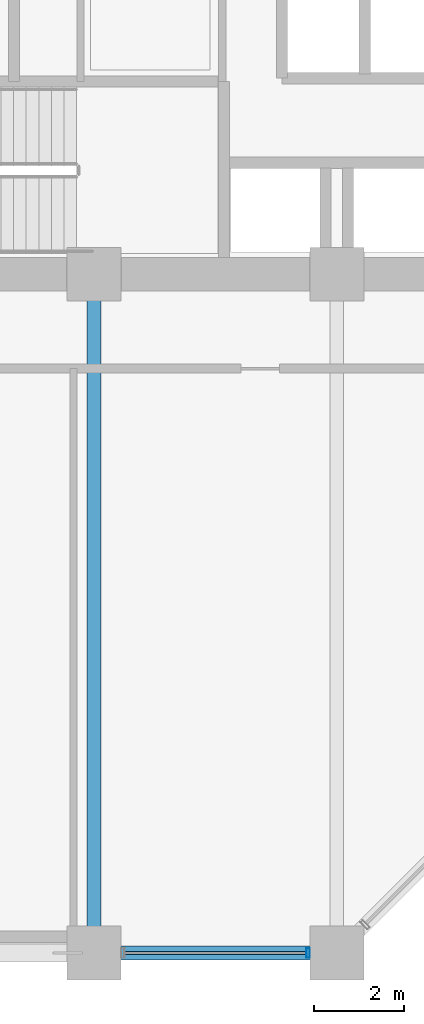
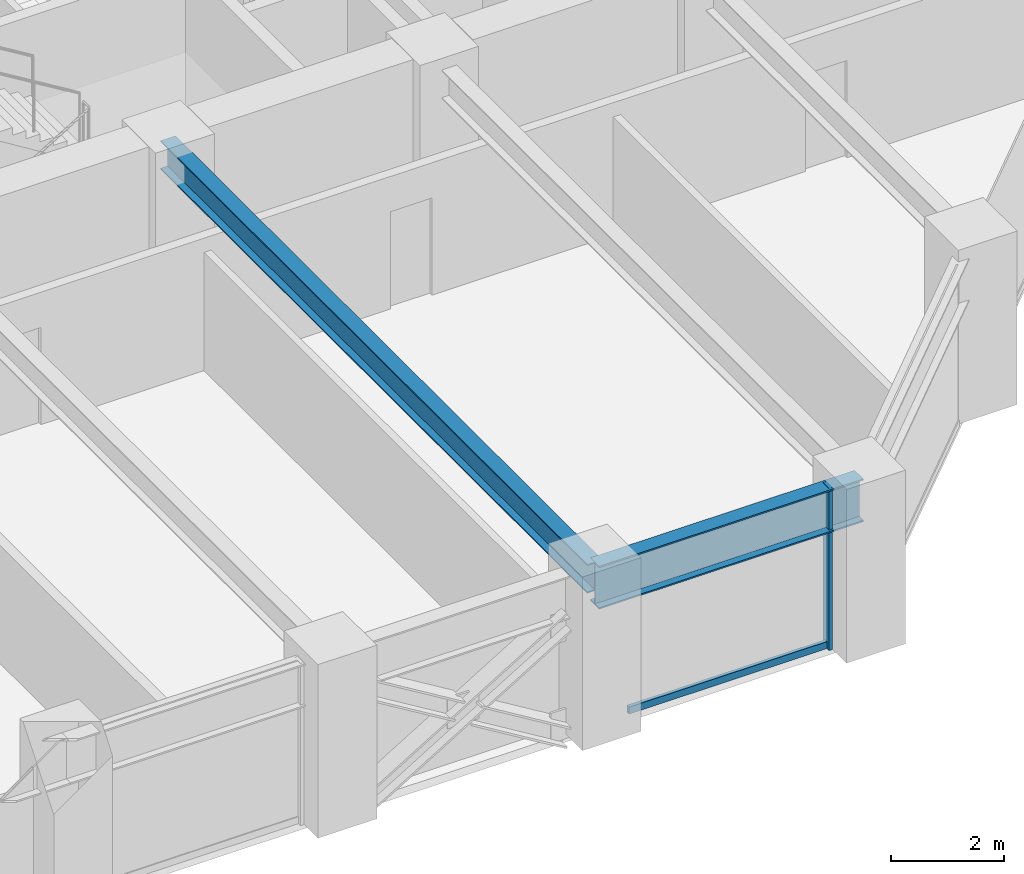
# One storey, part 5 of 26: 2 beams, 2 members, 1 element without a shape of its own.
"""IFC4 building model written with IfcOpenShell, lengths in metres."""

import ifcopenshell
import ifcopenshell.guid

model = None  # the IFC model being written
_history = None  # IfcOwnerHistory: only IFC2X3 demands one
_inside = {}  # id of a spatial element -> (the spatial element, [elements in it])
_under = {}  # id of a project, library or spatial element -> (it, [spatial elements below it])
_declared = {}  # id of a project -> (the project, [libraries it declares])
_typed = {}  # id of a type object -> (the type object, [elements of that type])
_made_of = {}  # id of a material, layer set ... -> (it, [elements and type objects made of it])


def new_model(schema):
    """Start an empty IFC model of exactly this schema.

    Asked for "IFC4X3", IfcOpenShell would pick the latest addendum, in which some entities
    have other attributes; the version numbers below select the first issue.
    IFC2X3 requires an IfcOwnerHistory on every rooted entity: one is made here for all.
    """
    global model, _history
    if schema == "IFC4X3":
        model = ifcopenshell.file(schema_version=(4, 3, 0, 0))
    else:
        model = ifcopenshell.file(schema=schema)
    _inside.clear()
    _under.clear()
    _declared.clear()
    _typed.clear()
    _made_of.clear()
    _history = None
    if model.schema == "IFC2X3":
        org = make("IfcOrganization", Name="unknown")
        user = make(
            "IfcPersonAndOrganization",
            ThePerson=make("IfcPerson", FamilyName="unknown"),
            TheOrganization=org,
        )
        app = make(
            "IfcApplication",
            ApplicationDeveloper=org,
            Version="unknown",
            ApplicationFullName="unknown",
            ApplicationIdentifier="unknown",
        )
        _history = make(
            "IfcOwnerHistory",
            OwningUser=user,
            OwningApplication=app,
            ChangeAction="ADDED",
            CreationDate=0,
        )
    return model


def make(cls, **values):
    """One entity of the class cls with the attributes given. An attribute that is None is left unset."""
    return model.create_entity(
        cls, **{name: value for name, value in values.items() if value is not None}
    )


def rooted(cls, **values):
    """An entity with a GlobalId (a new one), such as an element, a storey or a relation."""
    return make(cls, GlobalId=ifcopenshell.guid.new(), OwnerHistory=_history, **values)


def si_unit(unit_type, name, prefix=None):
    """IfcSIUnit, for example si_unit("LENGTHUNIT", "METRE", prefix="MILLI")."""
    return make("IfcSIUnit", UnitType=unit_type, Prefix=prefix, Name=name)


def assignment(units):
    """IfcUnitAssignment: the units of a project."""
    return None if units is None else make("IfcUnitAssignment", Units=units)


def point(xyz):
    """IfcCartesianPoint."""
    return None if xyz is None else make("IfcCartesianPoint", Coordinates=xyz)


def direction(xyz):
    """IfcDirection."""
    return None if xyz is None else make("IfcDirection", DirectionRatios=xyz)


def frame(location, z_axis=None, x_axis=None):
    """IfcAxis2Placement3D, a coordinate frame: its origin and axes. An axis left out is left unset."""
    return make(
        "IfcAxis2Placement3D",
        Location=point(location),
        Axis=direction(z_axis),
        RefDirection=direction(x_axis),
    )


def frame_2d(location, x_axis=None):
    """IfcAxis2Placement2D, a coordinate frame in the plane: its origin and x axis."""
    return make(
        "IfcAxis2Placement2D", Location=point(location), RefDirection=direction(x_axis)
    )


def origin():
    """The frame at (0, 0, 0) with its axes left unset."""
    return frame((0.0, 0.0, 0.0))


def origin_2d():
    """The frame at (0, 0) in the plane with its x axis left unset."""
    return frame_2d((0.0, 0.0))


def place(relative_to, where):
    """IfcLocalPlacement: puts the frame where relative to a parent placement (None: the world)."""
    return make(
        "IfcLocalPlacement", PlacementRelTo=relative_to, RelativePlacement=where
    )


def context(
    kind, dimensions, precision=None, world=None, true_north=None, identifier=None
):
    """IfcGeometricRepresentationContext, for example the 3D "Model" context."""
    return make(
        "IfcGeometricRepresentationContext",
        ContextIdentifier=identifier,
        ContextType=kind,
        CoordinateSpaceDimension=dimensions,
        Precision=precision,
        WorldCoordinateSystem=world,
        TrueNorth=true_north,
    )


def subcontext(parent, identifier, kind, view, scale=None):
    """IfcGeometricRepresentationSubContext, for example "Body" below "Model"."""
    return make(
        "IfcGeometricRepresentationSubContext",
        ContextIdentifier=identifier,
        ContextType=kind,
        ParentContext=parent,
        TargetScale=scale,
        TargetView=view,
    )


def project(units=None, contexts=None):
    """IfcProject with its units and contexts."""
    return rooted(
        "IfcProject",
        Name="project",
        RepresentationContexts=contexts,
        UnitsInContext=assignment(units),
    )


def spatial(cls, under=None, at=None, **own):
    """A site, building, storey or space (cls), placed at a placement, below another one or the project."""
    s = rooted(cls, ObjectPlacement=at, **own)
    if under is not None:
        _under.setdefault(under.id(), (under, []))[1].append(s)
    return s


def profile(cls, at=None, kind="AREA", **sizes):
    """A parametric profile (cls). Its sizes go by their IFC names, for example OverallWidth=200.0."""
    return make(cls, ProfileType=kind, Position=at, **sizes)


def hollow_rectangle(**sizes):
    """IfcRectangleHollowProfileDef."""
    return profile("IfcRectangleHollowProfileDef", **sizes)


def i_section(**sizes):
    """IfcIShapeProfileDef."""
    return profile("IfcIShapeProfileDef", **sizes)


def extrude(swept, where, along, depth):
    """IfcExtrudedAreaSolid: the profile swept, set in the frame where, extruded along a direction by depth."""
    return make(
        "IfcExtrudedAreaSolid",
        SweptArea=swept,
        Position=where,
        ExtrudedDirection=direction(along),
        Depth=depth,
    )


def shape(context_of_items, identifier, shape_type, items):
    """IfcShapeRepresentation: the items that make up one representation, for example the "Body"."""
    return make(
        "IfcShapeRepresentation",
        ContextOfItems=context_of_items,
        RepresentationIdentifier=identifier,
        RepresentationType=shape_type,
        Items=items,
    )


def material(Name=None, Category=None):
    """IfcMaterial."""
    return make("IfcMaterial", Name=Name, Category=Category)


def layer(
    of_material, thickness, ventilated=None, Name=None, Category=None, Priority=None
):
    """IfcMaterialLayer: one layer of a wall or slab, of a material (None: an air gap)."""
    return make(
        "IfcMaterialLayer",
        Material=of_material,
        LayerThickness=thickness,
        IsVentilated=ventilated,
        Name=Name,
        Category=Category,
        Priority=Priority,
    )


def layer_set(layers, Name=None):
    """IfcMaterialLayerSet."""
    return make("IfcMaterialLayerSet", MaterialLayers=layers, LayerSetName=Name)


def material_profile(
    of_material, cross_section, Name=None, Category=None, Priority=None
):
    """IfcMaterialProfile: a cross section and its material."""
    return make(
        "IfcMaterialProfile",
        Name=Name,
        Material=of_material,
        Profile=cross_section,
        Priority=Priority,
        Category=Category,
    )


def profile_set(profiles, Name=None, composite=None):
    """IfcMaterialProfileSet."""
    return make(
        "IfcMaterialProfileSet",
        Name=Name,
        MaterialProfiles=profiles,
        CompositeProfile=composite,
    )


def made_of(thing, what):
    """Note that an element or type object is made of a material, layer set ...; save() writes the relation."""
    if what is not None:
        _made_of.setdefault(what.id(), (what, []))[1].append(thing)
    return thing


def type_object(cls, material=None, **own):
    """A type object (cls), such as IfcWallType, which elements share."""
    return made_of(rooted(cls, **own), material)


def element(
    cls,
    number,
    at=None,
    inside=None,
    cuts=None,
    type_object=None,
    material=None,
    context=None,
    identifier="Body",
    shape_type=None,
    held_by="IfcProductDefinitionShape",
    body=None,
    shapes=None,
    **own,
):
    """One element of the class cls, such as IfcWall. Its Tag is "e" and its number.

    at: its placement. inside: the storey or other place that contains it. cuts: it is an
    opening in that element (IfcRelVoidsElement). A single representation is given by context,
    identifier, shape_type and body (its items); several are given by shapes. held_by: the class
    of the entity that holds the representations. save() writes the other relations.
    """
    e = rooted(cls, Tag="e%d" % number, ObjectPlacement=at, **own)
    if body is not None:
        shapes = [shape(context, identifier, shape_type, body)]
    if shapes is not None:
        e.Representation = make(held_by, Representations=shapes)
    if inside is not None:
        _inside.setdefault(inside.id(), (inside, []))[1].append(e)
    if cuts is not None:
        rooted(
            "IfcRelVoidsElement", RelatingBuildingElement=cuts, RelatedOpeningElement=e
        )
    if type_object is not None:
        _typed.setdefault(type_object.id(), (type_object, []))[1].append(e)
    return made_of(e, material)


def aggregate(whole, parts):
    """IfcRelAggregates: a whole, such as a stair, and the parts it consists of."""
    return rooted("IfcRelAggregates", RelatingObject=whole, RelatedObjects=parts)


def save(model, path):
    """Write the relations noted so far, then the file.

    IfcRelAggregates (storeys below a building ...), IfcRelContainedInSpatialStructure (elements
    in a storey), IfcRelDefinesByType, IfcRelAssociatesMaterial and IfcRelDeclares: one each for
    every whole, place, type object, material and project.
    """
    for whole, parts in _under.values():
        aggregate(whole, parts)
    for where, things in _inside.values():
        rooted(
            "IfcRelContainedInSpatialStructure",
            RelatedElements=things,
            RelatingStructure=where,
        )
    for kind, things in _typed.values():
        rooted("IfcRelDefinesByType", RelatedObjects=things, RelatingType=kind)
    for what, things in _made_of.values():
        rooted("IfcRelAssociatesMaterial", RelatedObjects=things, RelatingMaterial=what)
    for by, libraries in _declared.values():
        rooted("IfcRelDeclares", RelatingContext=by, RelatedDefinitions=libraries)
    model.write(path)


model = new_model("IFC4")

# Units and contexts
model_context = context("Model", 3, precision=1e-05, world=origin(), true_north=direction((0.0, 1.0)))
body_context = subcontext(model_context, "Body", "Model", "MODEL_VIEW")
ifc_project = project(units=[si_unit("LENGTHUNIT", "METRE"), si_unit("AREAUNIT", "SQUARE_METRE"), si_unit("VOLUMEUNIT", "CUBIC_METRE"), si_unit("PLANEANGLEUNIT", "RADIAN"), si_unit("MASSUNIT", "GRAM", prefix="KILO")], contexts=[model_context])

# Site, building, storey
site_placement = place(None, origin())
site = spatial("IfcSite", under=ifc_project, at=site_placement, CompositionType="ELEMENT")
building_placement = place(site_placement, origin())
building = spatial("IfcBuilding", under=site, at=building_placement, Name="Surkhivell Harbour Commons", CompositionType="ELEMENT")
storey_placement = place(building_placement, frame((0.0, 0.0, 75.0)))
storey = spatial("IfcBuildingStorey", under=building, at=storey_placement, Name="L19", CompositionType="ELEMENT", Elevation=75.0)

# Beams
ifc_material_1 = material(Name="Steel S355", Category="steel")
ifc_material_profile_1 = material_profile(ifc_material_1, i_section(OverallWidth=0.306884765625, OverallDepth=0.6201171875, WebThickness=0.01416015625, FlangeThickness=0.023681640625, at=origin_2d()), Name="UB610x305x179")
ifc_profile_set_1 = profile_set([ifc_material_profile_1], Name="Steel S355")
beam_type_1 = type_object("IfcBeamType", Name="BM-GRD-610A", PredefinedType="BEAM", material=ifc_profile_set_1)
beam_1_placement = place(storey_placement, frame((-5.39990234375, -25.89990234375, 3.18994140625), z_axis=(0.0, 1.0, 0.0), x_axis=(-1.0, 0.0, 0.0)))
element("IfcBeam", 1, at=beam_1_placement, inside=storey, type_object=beam_type_1, Name="L19 Floor Girder (-5.4,-25.9)", PredefinedType="BEAM", context=body_context, shape_type="SweptSolid", body=[
    extrude(i_section(OverallWidth=0.306884765625, OverallDepth=0.6201171875, WebThickness=0.01416015625, FlangeThickness=0.023681640625, at=origin_2d()), origin(), (0.0, 0.0, 1.0), 15.099853515625),
])
ifc_material_2 = material(Name="Steel S460", Category="steel")
ifc_material_profile_2 = material_profile(ifc_material_2, i_section(OverallWidth=0.30810546875, OverallDepth=0.927001953125, WebThickness=0.01953125, FlangeThickness=0.031982421875, at=origin_2d()), Name="UB914x305x289")
ifc_profile_set_2 = profile_set([ifc_material_profile_2], Name="Steel S460")
beam_type_2 = type_object("IfcBeamType", Name="BM-SPN-914B", PredefinedType="SPANDREL", material=ifc_profile_set_2)
beam_2_placement = place(storey_placement, frame((-5.39990234375, -25.89990234375, 3.03662109375), z_axis=(1.0, 0.0, 0.0), x_axis=(0.0, 1.0, 0.0)))
element("IfcBeam", 2, at=beam_2_placement, inside=storey, type_object=beam_type_2, Name="L19 Tube Spandrel (-5.4,-25.9)", PredefinedType="SPANDREL", context=body_context, shape_type="SweptSolid", body=[
    extrude(i_section(OverallWidth=0.30810546875, OverallDepth=0.927001953125, WebThickness=0.01953125, FlangeThickness=0.031982421875, at=origin_2d()), origin(), (0.0, 0.0, 1.0), 5.39990234375),
])

# Curtain wall, members
ifc_material_3 = material(Name="Anodised pale-metal aluminium and insulated glazing", Category="aluminium")
ifc_layer = layer(ifc_material_3, 0.219970703125)
ifc_layer_set = layer_set([ifc_layer], Name="Anodised pale-metal aluminium and insulated glazing")
curtain_wall_type = type_object("IfcCurtainWallType", Name="CW-SYS-Z1", PredefinedType="NOTDEFINED", material=ifc_layer_set)
curtain_wall_placement = place(storey_placement, origin())
curtain_wall = element("IfcCurtainWall", 3, at=curtain_wall_placement, inside=storey, type_object=curtain_wall_type, Name="L19 Curtain Wall CW-L19-E00S2", PredefinedType="NOTDEFINED")
ifc_material_4 = material(Name="Anodised pale-metal aluminium alloy 6063-T6", Category="aluminium")
ifc_material_profile_3 = material_profile(ifc_material_4, hollow_rectangle(XDim=0.074951171875, YDim=0.219970703125, WallThickness=0.00390625, at=origin_2d()), Name="ALU-MULL-75x220")
ifc_profile_set_3 = profile_set([ifc_material_profile_3], Name="Anodised pale-metal aluminium alloy 6063-T6")
member_type_1 = type_object("IfcMemberType", Name="CWM-220", PredefinedType="MULLION", material=ifc_profile_set_3)
member_1_placement = place(storey_placement, frame((-0.639404296875, -25.89990234375, 0.0), z_axis=(0.0, 0.0, 1.0), x_axis=(1.0, 0.0, 0.0)))
member_1 = element("IfcMember", 4, at=member_1_placement, type_object=member_type_1, Name="CW-Z1 mullion 2", PredefinedType="MULLION", context=body_context, shape_type="SweptSolid", body=[
    extrude(hollow_rectangle(XDim=0.074951171875, YDim=0.219970703125, WallThickness=0.00390625, at=origin_2d()), origin(), (0.0, 0.0, 1.0), 3.5),
])
ifc_material_profile_4 = material_profile(ifc_material_4, hollow_rectangle(XDim=0.074951171875, YDim=0.14990234375, WallThickness=0.00341796875, at=origin_2d()), Name="ALU-TRAN-75x150")
ifc_profile_set_4 = profile_set([ifc_material_profile_4], Name="Anodised pale-metal aluminium alloy 6063-T6")
member_type_2 = type_object("IfcMemberType", Name="CWT-150", PredefinedType="USERDEFINED", material=ifc_profile_set_4)
member_2_placement = place(storey_placement, frame((-4.722900390625, -25.89990234375, 0.074951171875), z_axis=(1.0, 0.0, 0.0), x_axis=(0.0, 1.0, 0.0)))
member_2 = element("IfcMember", 5, at=member_2_placement, type_object=member_type_2, Name="CW-Z1 transom 1.1", ObjectType="TRANSOM", PredefinedType="USERDEFINED", context=body_context, shape_type="SweptSolid", body=[
    extrude(hollow_rectangle(XDim=0.074951171875, YDim=0.14990234375, WallThickness=0.00341796875, at=origin_2d()), origin(), (0.0, 0.0, 1.0), 4.0458984375),
])
aggregate(curtain_wall, [member_1, member_2])

save(model, "model.ifc")
